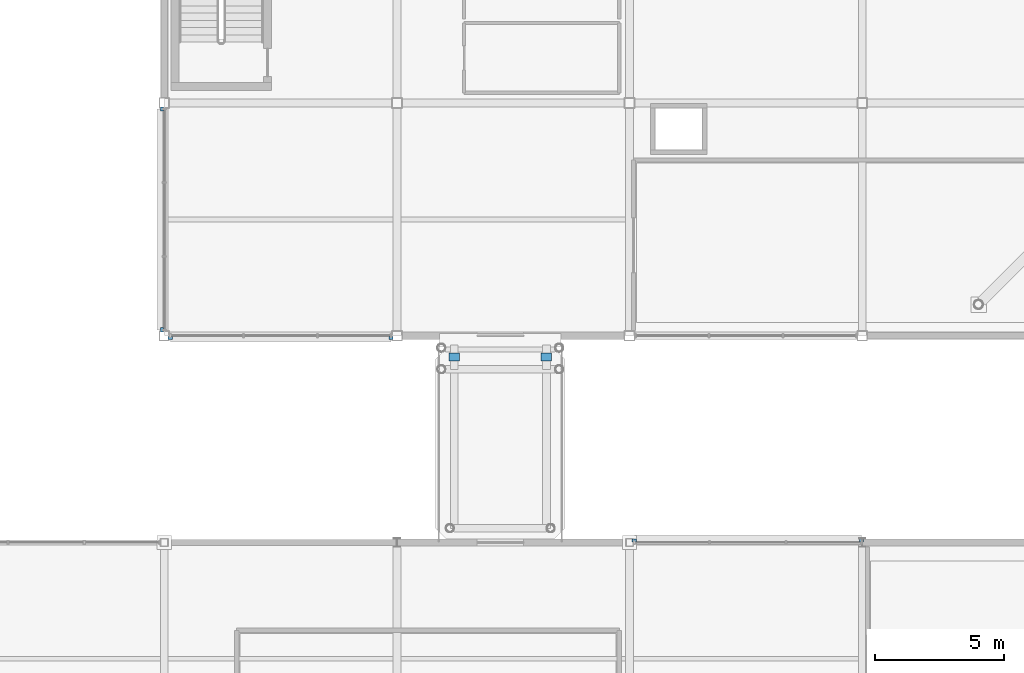
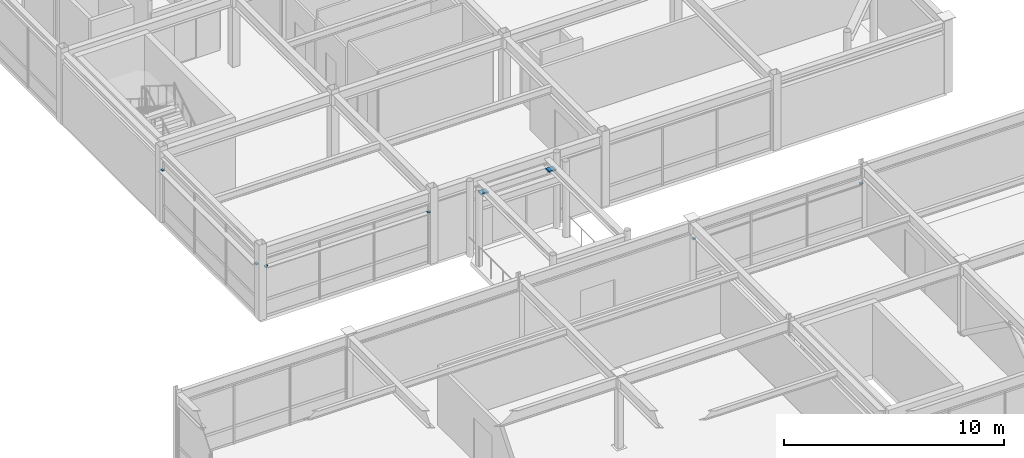
# One storey, part 56 of 70: 8 discrete accessories.
"""IFC4 building model written with IfcOpenShell, lengths in metres."""

from ifc_helpers import new_model, si_unit, direction, frame, origin, origin_2d, place, context, subcontext, project, spatial, rectangle, extrude, material, type_object, element, save


model = new_model("IFC4")

# Units and contexts
model_context = context("Model", 3, precision=1e-05, world=origin(), true_north=direction((0.0, 1.0)))
body_context = subcontext(model_context, "Body", "Model", "MODEL_VIEW")
ifc_project = project(units=[si_unit("LENGTHUNIT", "METRE"), si_unit("AREAUNIT", "SQUARE_METRE"), si_unit("VOLUMEUNIT", "CUBIC_METRE"), si_unit("PLANEANGLEUNIT", "RADIAN"), si_unit("MASSUNIT", "GRAM", prefix="KILO")], contexts=[model_context])

# Site, building, storey
site_placement = place(None, origin())
site = spatial("IfcSite", under=ifc_project, at=site_placement, CompositionType="ELEMENT")
building_placement = place(site_placement, origin())
building = spatial("IfcBuilding", under=site, at=building_placement, Name="Suzunagisa Mobility Hub", CompositionType="ELEMENT")
storey_placement = place(building_placement, frame((0.0, 0.0, 13.5)))
storey = spatial("IfcBuildingStorey", under=building, at=storey_placement, Name="L03", CompositionType="ELEMENT", Elevation=13.5)

# Discrete accessories
ifc_material_1 = material(Name="Stainless Steel SUS316", Category="metal")
discrete_accessory_type_1 = type_object("IfcDiscreteAccessoryType", Name="Stainless Sunshade Outrigger Bracket BRK-01", PredefinedType="BRACKET", material=ifc_material_1)
for number, where, z_axis, x_axis, name in (
    (1, (170.965576171875, 36.0849609375, 2.800048828125), (0.0, 0.0, 1.0), (-1.0, 0.0, 0.0), "Sunshade Outrigger Bracket BRK-35.1"),
    (2, (162.179931640625, 36.0849609375, 2.800048828125), (0.0, 0.0, 1.0), (-1.0, 0.0, 0.0), "Sunshade Outrigger Bracket BRK-35.2"),
    (3, (144.22998046875, 43.9150390625, 2.81005859375), (0.0, 0.0, 1.0), (1.0, 0.0, 0.0), "Sunshade Outrigger Bracket BRK-45.1"),
    (4, (152.77001953125, 43.9150390625, 2.81005859375), (0.0, 0.0, 1.0), (1.0, 0.0, 0.0), "Sunshade Outrigger Bracket BRK-45.2"),
    (5, (143.9150390625, 52.77001953125, 2.8720703125), (0.0, 0.0, 1.0), (0.0, -1.0, 0.0), "Sunshade Outrigger Bracket BRK-48.1"),
    (6, (143.9150390625, 44.22998046875, 2.8720703125), (0.0, 0.0, 1.0), (0.0, -1.0, 0.0), "Sunshade Outrigger Bracket BRK-48.2"),
):
    element("IfcDiscreteAccessory", number, at=place(storey_placement, frame(where, z_axis=z_axis, x_axis=x_axis)), inside=storey, type_object=discrete_accessory_type_1, Name=name, PredefinedType="BRACKET", context=body_context, shape_type="SweptSolid", body=[
        extrude(rectangle(XDim=0.159912109375, YDim=0.1201171875, at=origin_2d()), origin(), (0.0, 0.0, 1.0), 0.080078125),
    ])
ifc_material_2 = material(Name="PTFE Elastomeric Bearing Assembly")
discrete_accessory_type_2 = type_object("IfcDiscreteAccessoryType", Name="Unguided PTFE Sliding Bearing SBG-01", PredefinedType="SHOE", material=ifc_material_2)
for number, where, z_axis, x_axis, name in (
    (7, (155.219970703125, 43.175048828125, 3.530029296875), (0.0, 0.0, 1.0), (1.0, 0.0, 0.0), "Skybridge PTFE Sliding Bearing SB-06-A"),
    (8, (158.780029296875, 43.175048828125, 3.530029296875), (0.0, 0.0, 1.0), (1.0, 0.0, 0.0), "Skybridge PTFE Sliding Bearing SB-06-B"),
):
    element("IfcDiscreteAccessory", number, at=place(storey_placement, frame(where, z_axis=z_axis, x_axis=x_axis)), inside=storey, type_object=discrete_accessory_type_2, Name=name, PredefinedType="SHOE", context=body_context, shape_type="SweptSolid", body=[
        extrude(rectangle(XDim=0.39990234375, YDim=0.300048828125, at=origin_2d()), origin(), (0.0, 0.0, 1.0), 0.080078125),
    ])

save(model, "model.ifc")
